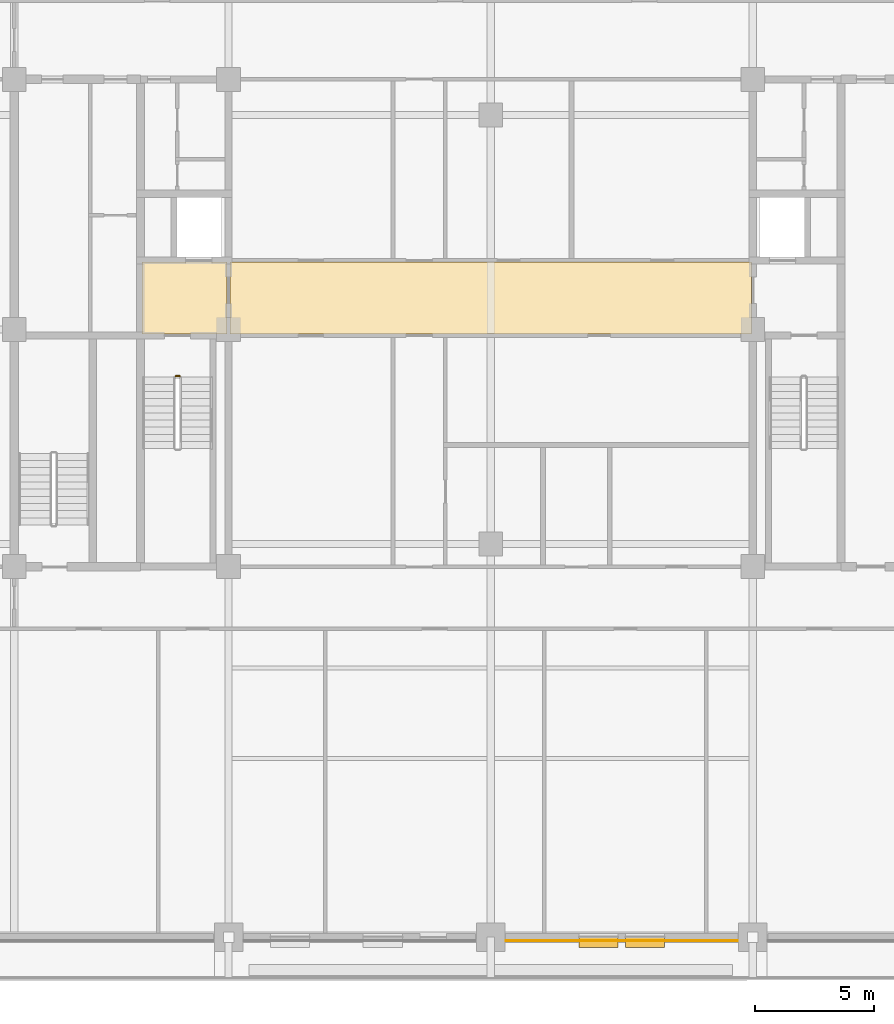
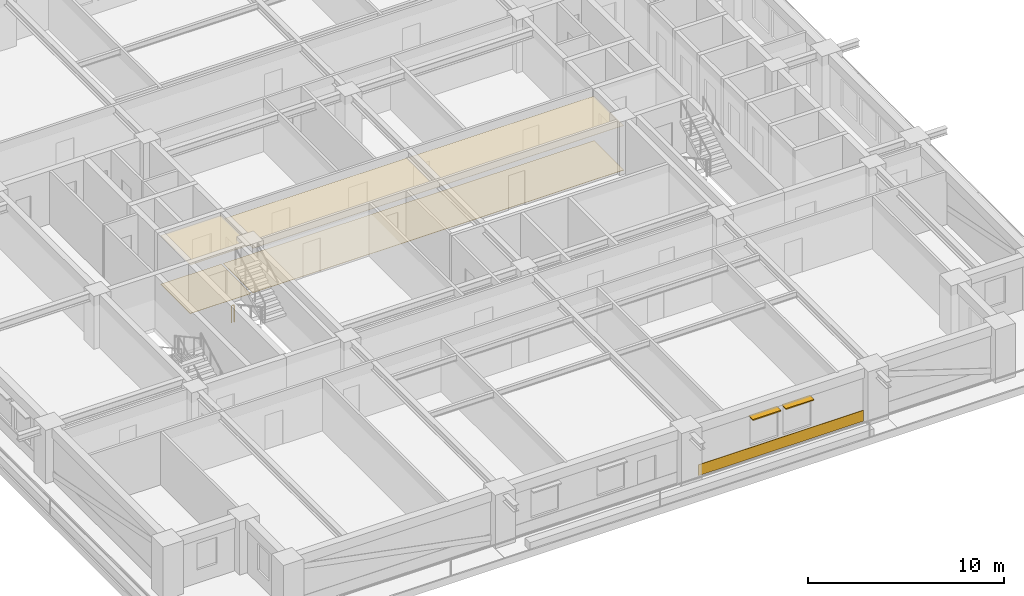
# One storey, part 13 of 15: 5 coverings, 2 shading devices, 1 railing.
"""IFC4 building model written with IfcOpenShell, lengths in metres."""

from ifc_helpers import new_model, si_unit, direction, frame, frame_2d, origin, origin_2d, place, context, subcontext, project, spatial, polyline, rectangle, outline, extrude, material, layer, layer_set, type_object, element, save


model = new_model("IFC4")

# Units and contexts
model_context = context("Model", 3, precision=1e-05, world=origin(), true_north=direction((0.0, 1.0)))
body_context = subcontext(model_context, "Body", "Model", "MODEL_VIEW")
ifc_project = project(units=[si_unit("LENGTHUNIT", "METRE"), si_unit("AREAUNIT", "SQUARE_METRE"), si_unit("VOLUMEUNIT", "CUBIC_METRE"), si_unit("PLANEANGLEUNIT", "RADIAN"), si_unit("MASSUNIT", "GRAM", prefix="KILO")], contexts=[model_context])

# Site, building, storey
site_placement = place(None, origin())
site = spatial("IfcSite", under=ifc_project, at=site_placement, CompositionType="ELEMENT")
building_placement = place(site_placement, origin())
building = spatial("IfcBuilding", under=site, at=building_placement, Name="Zulmaris Gate Convention Tower", CompositionType="ELEMENT")
storey_placement = place(building_placement, frame((0.0, 0.0, 132.059814453125)))
storey = spatial("IfcBuildingStorey", under=building, at=storey_placement, Name="L33", CompositionType="ELEMENT", Elevation=132.059814453125)

# Coverings
ifc_material_1 = material(Name="Precast concrete C40/50", Category="concrete")
ifc_layer_1 = layer(ifc_material_1, 0.0400390625, Name="Precast concrete C40/50")
ifc_layer_set_1 = layer_set([ifc_layer_1], Name="Precast concrete C40/50")
covering_type_1 = type_object("IfcCoveringType", Name="CLAD-SPANDREL-PRECAST", PredefinedType="CLADDING", material=ifc_layer_set_1)
covering_1_placement = place(storey_placement, frame((0.6298828125, -25.64990234375, 0.0), z_axis=(0.0, 0.0, 1.0), x_axis=(1.0, 0.0, 0.0)))
element("IfcCovering", 1, at=covering_1_placement, inside=storey, type_object=covering_type_1, Name="CLD-L33-S-2_0", PredefinedType="CLADDING", context=body_context, shape_type="SweptSolid", body=[
    extrude(rectangle(XDim=9.740234375, YDim=0.0400390625, at=frame_2d((4.8701171875, 0.0))), origin(), (0.0, 0.0, 1.0), 0.679931640625),
])
ifc_material_2 = material(Name="Mineral Fibre Acoustic Ceiling Tile")
ifc_layer_2 = layer(ifc_material_2, 0.02001953125, Name="Mineral Fibre Acoustic Ceiling Tile")
ifc_layer_set_2 = layer_set([ifc_layer_2], Name="Mineral Fibre Acoustic Ceiling Tile")
covering_type_2 = type_object("IfcCoveringType", Name="CLG-ACOUSTIC-600", PredefinedType="CEILING", material=ifc_layer_set_2)
covering_2_placement = place(storey_placement, frame((0.0, 0.0, 3.0400390625)))
element("IfcCovering", 2, at=covering_2_placement, inside=storey, type_object=covering_type_2, Name="CLG-L33-R03", PredefinedType="CEILING", context=body_context, shape_type="SweptSolid", body=[
    extrude(outline(polyline([(-14.639892578125, -0.18994140625), (-11.06005859375, -0.18994140625), (-11.06005859375, 2.840087890625), (-14.639892578125, 2.840087890625), (-14.639892578125, -0.18994140625)])), origin(), (0.0, 0.0, 1.0), 0.02001953125),
])
covering_3_placement = place(storey_placement, frame((0.0, 0.0, 2.778076171875)))
element("IfcCovering", 3, at=covering_3_placement, inside=storey, type_object=covering_type_2, Name="CLG-L33-R34", PredefinedType="CEILING", context=body_context, shape_type="SweptSolid", body=[
    extrude(outline(polyline([(-10.93994140625, -0.18994140625), (10.93994140625, -0.18994140625), (10.93994140625, 2.840087890625), (-10.93994140625, 2.840087890625), (-10.93994140625, -0.18994140625)])), origin(), (0.0, 0.0, 1.0), 0.02001953125),
])
ifc_material_3 = material(Name="Woven Acoustic Wool Carpet Tile")
ifc_layer_3 = layer(ifc_material_3, 0.02001953125, Name="Woven Acoustic Wool Carpet Tile")
ifc_layer_set_3 = layer_set([ifc_layer_3], Name="Woven Acoustic Wool Carpet Tile")
covering_type_3 = type_object("IfcCoveringType", Name="FLR-CARPET-12", PredefinedType="FLOORING", material=ifc_layer_set_3)
covering_4_placement = place(storey_placement, origin())
element("IfcCovering", 4, at=covering_4_placement, inside=storey, type_object=covering_type_3, Name="FLR-L33-R03", PredefinedType="FLOORING", context=body_context, shape_type="SweptSolid", body=[
    extrude(outline(polyline([(-14.639892578125, -0.18994140625), (-11.06005859375, -0.18994140625), (-11.06005859375, 2.840087890625), (-14.639892578125, 2.840087890625), (-14.639892578125, -0.18994140625)])), origin(), (0.0, 0.0, 1.0), 0.02001953125),
])
covering_5_placement = place(storey_placement, origin())
element("IfcCovering", 5, at=covering_5_placement, inside=storey, type_object=covering_type_3, Name="FLR-L33-R34", PredefinedType="FLOORING", context=body_context, shape_type="SweptSolid", body=[
    extrude(outline(polyline([(-10.93994140625, -0.18994140625), (10.93994140625, -0.18994140625), (10.93994140625, 2.840087890625), (-10.93994140625, 2.840087890625), (-10.93994140625, -0.18994140625)])), origin(), (0.0, 0.0, 1.0), 0.02001953125),
])

# Railing
ifc_material_4 = material(Name="Painted Galvanised Steel", Category="steel")
railing_type = type_object("IfcRailingType", Name="RL-STG-1150", PredefinedType="GUARDRAIL", material=ifc_material_4)
railing_placement = place(storey_placement, frame((-13.219970703125, -1.949951171875, 0.0)))
element("IfcRailing", 6, at=railing_placement, inside=storey, type_object=railing_type, Name="L33 ST-1 stair guard 4", PredefinedType="GUARDRAIL", context=body_context, shape_type="SweptSolid", body=[
    extrude(rectangle(XDim=0.048095703125, YDim=0.048095703125, at=origin_2d()), frame((0.0, 0.0, 1.076171875), z_axis=(1.0, 0.0, 0.0), x_axis=(0.0, 1.0, 0.0)), (0.0, 0.0, 1.0), 0.159912109375),
    extrude(rectangle(XDim=0.0419921875, YDim=0.0419921875, at=origin_2d()), origin(), (0.0, 0.0, 1.0), 1.052001953125),
    extrude(rectangle(XDim=0.0419921875, YDim=0.0419921875, at=origin_2d()), frame((0.159912109375, 0.0, 0.0)), (0.0, 0.0, 1.0), 1.052001953125),
])

# Shading devices
ifc_material_5 = material(Name="Glazed Ceramic Terracotta", Category="masonry")
ifc_layer_4 = layer(ifc_material_5, 0.070068359375, Name="Glazed Ceramic Terracotta")
ifc_layer_set_4 = layer_set([ifc_layer_4], Name="Glazed Ceramic Terracotta")
shading_device_type = type_object("IfcShadingDeviceType", Name="SHD-SUNSHADE-TC", PredefinedType="AWNING", material=ifc_layer_set_4)
for number, where, z_axis, x_axis, name in (
    (7, (3.700927734375, -25.719970703125, 2.530029296875), (0.0, 0.0, 1.0), (1.0, 0.0, 0.0), "SHD-EW-L33-S-2_0-2"),
    (8, (5.64892578125, -25.719970703125, 2.530029296875), (0.0, 0.0, 1.0), (1.0, 0.0, 0.0), "SHD-EW-L33-S-2_0-3"),
):
    element("IfcShadingDevice", number, at=place(storey_placement, frame(where, z_axis=z_axis, x_axis=x_axis)), inside=storey, type_object=shading_device_type, Name=name, PredefinedType="AWNING", context=body_context, shape_type="SweptSolid", body=[
        extrude(rectangle(XDim=1.650146484375, YDim=0.43994140625, at=frame_2d((0.8251953125, 0.0))), origin(), (0.0, 0.0, 1.0), 0.070068359375),
    ])

save(model, "model.ifc")
